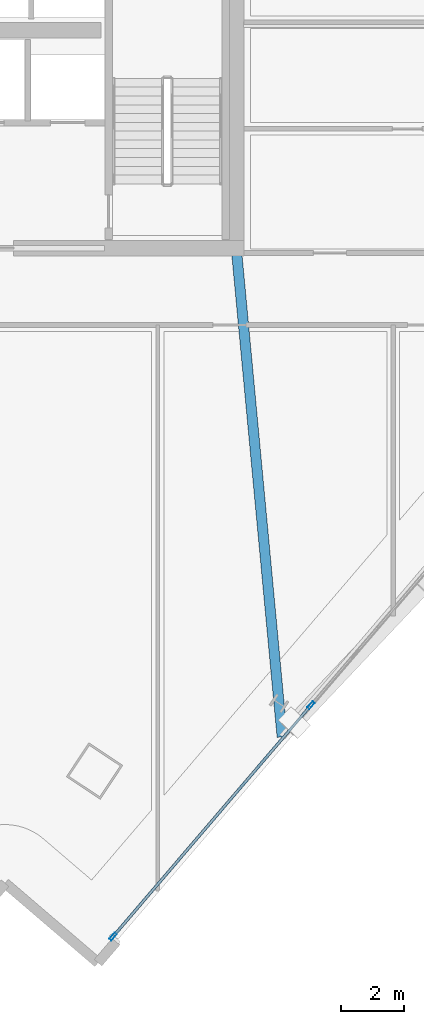
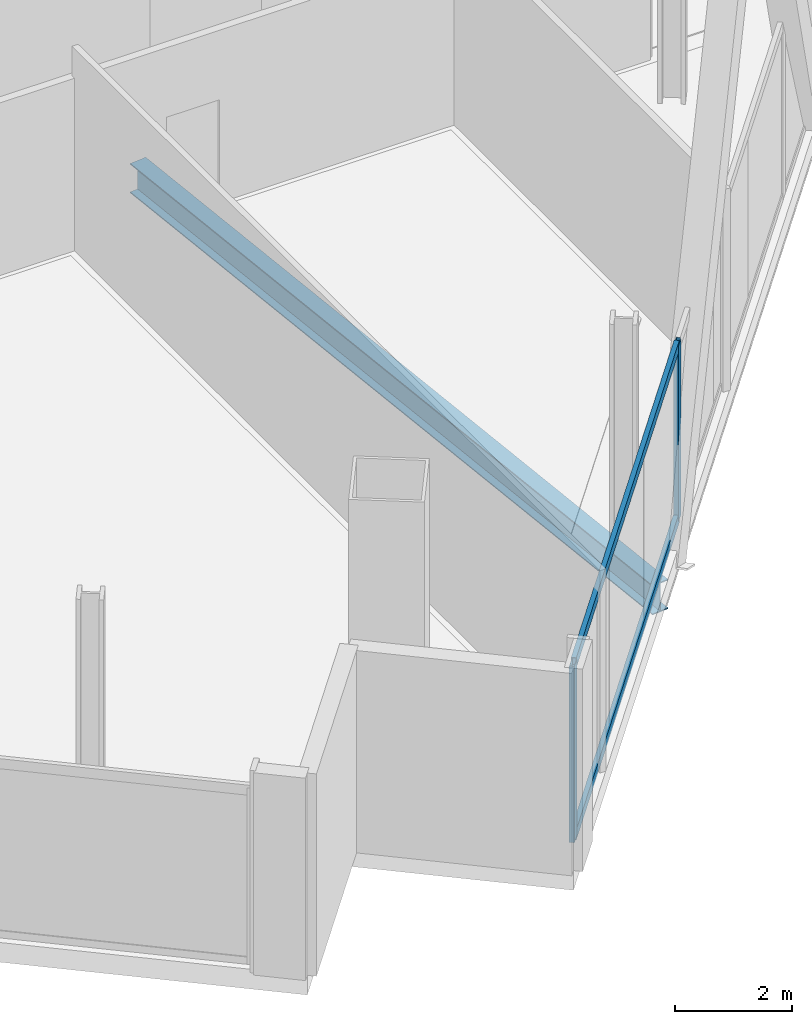
# One storey, part 7 of 26: 4 members, 1 beam, 1 element without a shape of its own.
"""IFC4 building model written with IfcOpenShell, lengths in metres."""

from ifc_helpers import new_model, si_unit, direction, frame, origin, origin_2d, place, context, subcontext, project, spatial, hollow_rectangle, i_section, extrude, material, material_profile, profile_set, type_object, element, aggregate, save


model = new_model("IFC4")

# Units and contexts
model_context = context("Model", 3, precision=1e-05, world=origin(), true_north=direction((0.0, 1.0)))
body_context = subcontext(model_context, "Body", "Model", "MODEL_VIEW")
ifc_project = project(units=[si_unit("LENGTHUNIT", "METRE"), si_unit("AREAUNIT", "SQUARE_METRE"), si_unit("VOLUMEUNIT", "CUBIC_METRE"), si_unit("PLANEANGLEUNIT", "RADIAN"), si_unit("MASSUNIT", "GRAM", prefix="KILO")], contexts=[model_context])

# Site, building, storey
site_placement = place(None, origin())
site = spatial("IfcSite", under=ifc_project, at=site_placement, CompositionType="ELEMENT")
building_placement = place(site_placement, origin())
building = spatial("IfcBuilding", under=site, at=building_placement, Name="Haldenkirk Collegiate Tower", CompositionType="ELEMENT")
storey_placement = place(building_placement, frame((0.0, 0.0, 193.949951171875)))
storey = spatial("IfcBuildingStorey", under=building, at=storey_placement, Name="L48", CompositionType="ELEMENT", Elevation=193.949951171875)

# Beam
ifc_material_1 = material(Name="Steel ASTM A992 Grade 50", Category="steel")
ifc_material_profile_1 = material_profile(ifc_material_1, i_section(OverallWidth=0.324951171875, OverallDepth=0.615966796875, WebThickness=0.013916015625, FlangeThickness=0.021484375, at=origin_2d()), Name="W24X117")
ifc_profile_set_1 = profile_set([ifc_material_profile_1], Name="Steel ASTM A992 Grade 50")
beam_type = type_object("IfcBeamType", Name="BM-GIRDER-W24X117", PredefinedType="BEAM", material=ifc_profile_set_1)
beam_placement = place(storey_placement, frame((46.46337890625, 2.42041015625, -0.718017578125), z_axis=(-0.093519256695, 0.995617471034, 0.0), x_axis=(-0.995617471034, -0.093519256695, 0.0)))
element("IfcBeam", 1, at=beam_placement, inside=storey, type_object=beam_type, Name="L48 primary floor girder 05", PredefinedType="BEAM", context=body_context, shape_type="SweptSolid", body=[
    extrude(i_section(OverallWidth=0.324951171875, OverallDepth=0.615966796875, WebThickness=0.013916015625, FlangeThickness=0.021484375, at=origin_2d()), origin(), (0.0, 0.0, 1.0), 15.418212890625),
])

# Curtain wall, members
ifc_material_2 = material(Name="Anodised architectural bronze aluminium", Category="aluminium")
curtain_wall_type = type_object("IfcCurtainWallType", Name="CW-SYS4-SKYGARDEN", PredefinedType="USERDEFINED", material=ifc_material_2)
curtain_wall_placement = place(storey_placement, origin())
curtain_wall = element("IfcCurtainWall", 2, at=curtain_wall_placement, inside=storey, type_object=curtain_wall_type, Name="L48 Sky-garden tall bronze curtain wall", ObjectType="UNITISED CURTAIN WALL", PredefinedType="USERDEFINED")
ifc_material_profile_2 = material_profile(ifc_material_2, hollow_rectangle(XDim=0.090087890625, YDim=0.260009765625, WallThickness=0.0048828125, at=origin_2d()), Name="CW-MUL-04")
ifc_profile_set_2 = profile_set([ifc_material_profile_2], Name="Anodised architectural bronze aluminium")
member_type_1 = type_object("IfcMemberType", Name="CW-MUL-04", PredefinedType="MULLION", material=ifc_profile_set_2)
member_1_placement = place(storey_placement, frame((47.380859375, 3.430908203125, 0.0), z_axis=(0.0, 0.0, 1.0), x_axis=(0.759836934452, -0.650113707779, 0.0)))
member_1 = element("IfcMember", 3, at=member_1_placement, type_object=member_type_1, Name="CW-04 mullion 4", PredefinedType="MULLION", context=body_context, shape_type="SweptSolid", body=[
    extrude(hollow_rectangle(XDim=0.090087890625, YDim=0.260009765625, WallThickness=0.0048828125, at=origin_2d()), origin(), (0.0, 0.0, 1.0), 3.677978515625),
])
member_2_placement = place(storey_placement, frame((41.071533203125, -3.943115234375, 0.0), z_axis=(0.0, 0.0, 1.0), x_axis=(0.759836934452, -0.650113707779, 0.0)))
member_2 = element("IfcMember", 4, at=member_2_placement, type_object=member_type_1, Name="CW-04 mullion 5", PredefinedType="MULLION", context=body_context, shape_type="SweptSolid", body=[
    extrude(hollow_rectangle(XDim=0.090087890625, YDim=0.260009765625, WallThickness=0.0048828125, at=origin_2d()), origin(), (0.0, 0.0, 1.0), 3.677978515625),
])
ifc_material_profile_3 = material_profile(ifc_material_2, hollow_rectangle(XDim=0.090087890625, YDim=0.2099609375, WallThickness=0.0048828125, at=origin_2d()), Name="CW-TRN-04")
ifc_profile_set_3 = profile_set([ifc_material_profile_3], Name="Anodised architectural bronze aluminium")
member_type_2 = type_object("IfcMemberType", Name="CW-TRN-04", PredefinedType="USERDEFINED", material=ifc_profile_set_3)
member_3_placement = place(storey_placement, frame((47.3515625, 3.396728515625, 0.045166015625), z_axis=(-0.650115684268, -0.759835243371, 0.0), x_axis=(0.759835243371, -0.650115684268, 0.0)))
member_3 = element("IfcMember", 5, at=member_3_placement, type_object=member_type_2, Name="CW-04 transom 4.1", ObjectType="TRANSOM", PredefinedType="USERDEFINED", context=body_context, shape_type="SweptSolid", body=[
    extrude(hollow_rectangle(XDim=0.090087890625, YDim=0.2099609375, WallThickness=0.0048828125, at=origin_2d()), origin(), (0.0, 0.0, 1.0), 9.61474609375),
])
member_4_placement = place(storey_placement, frame((47.3515625, 3.396728515625, 3.633056640625), z_axis=(-0.650115684268, -0.759835243371, 0.0), x_axis=(0.759835243371, -0.650115684268, 0.0)))
member_4 = element("IfcMember", 6, at=member_4_placement, type_object=member_type_2, Name="CW-04 transom 4.2", ObjectType="TRANSOM", PredefinedType="USERDEFINED", context=body_context, shape_type="SweptSolid", body=[
    extrude(hollow_rectangle(XDim=0.090087890625, YDim=0.2099609375, WallThickness=0.0048828125, at=origin_2d()), origin(), (0.0, 0.0, 1.0), 9.61474609375),
])
aggregate(curtain_wall, [member_1, member_2, member_3, member_4])

save(model, "model.ifc")
